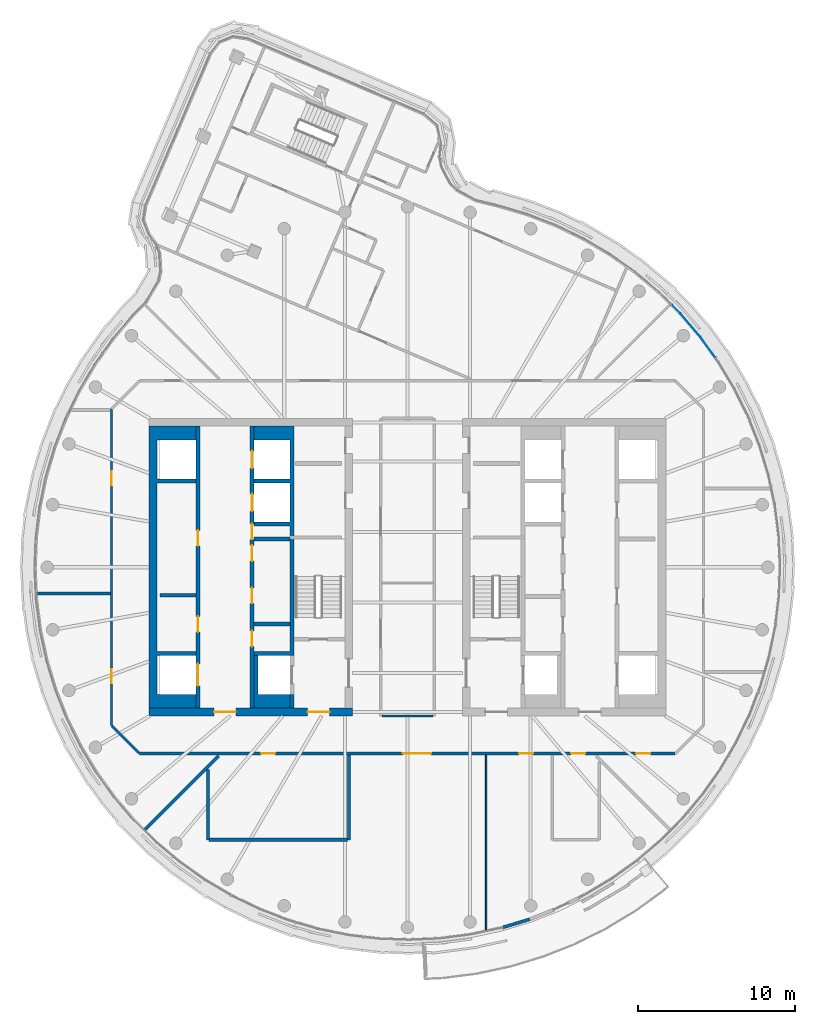
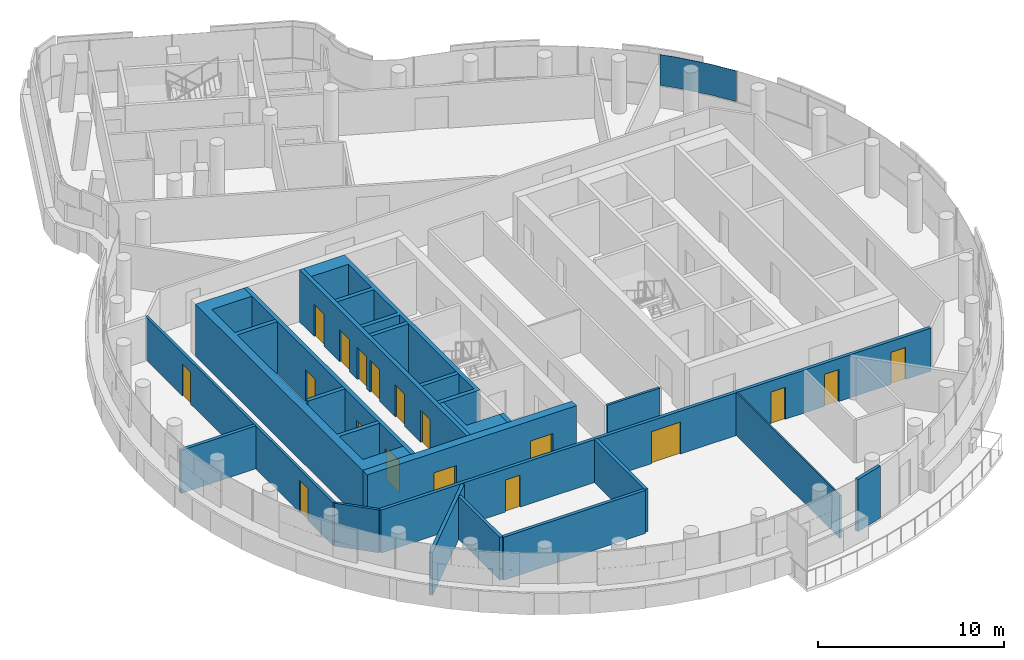
# One storey, part 12 of 20: 21 walls, 18 doors, 1 plate, 18 openings, 1 element without a shape of its own.
"""IFC4 building model written with IfcOpenShell, lengths in metres."""

import ifcopenshell
import ifcopenshell.guid

model = None  # the IFC model being written
_history = None  # IfcOwnerHistory: only IFC2X3 demands one
_inside = {}  # id of a spatial element -> (the spatial element, [elements in it])
_under = {}  # id of a project, library or spatial element -> (it, [spatial elements below it])
_declared = {}  # id of a project -> (the project, [libraries it declares])
_typed = {}  # id of a type object -> (the type object, [elements of that type])
_made_of = {}  # id of a material, layer set ... -> (it, [elements and type objects made of it])


def new_model(schema):
    """Start an empty IFC model of exactly this schema.

    Asked for "IFC4X3", IfcOpenShell would pick the latest addendum, in which some entities
    have other attributes; the version numbers below select the first issue.
    IFC2X3 requires an IfcOwnerHistory on every rooted entity: one is made here for all.
    """
    global model, _history
    if schema == "IFC4X3":
        model = ifcopenshell.file(schema_version=(4, 3, 0, 0))
    else:
        model = ifcopenshell.file(schema=schema)
    _inside.clear()
    _under.clear()
    _declared.clear()
    _typed.clear()
    _made_of.clear()
    _history = None
    if model.schema == "IFC2X3":
        org = make("IfcOrganization", Name="unknown")
        user = make(
            "IfcPersonAndOrganization",
            ThePerson=make("IfcPerson", FamilyName="unknown"),
            TheOrganization=org,
        )
        app = make(
            "IfcApplication",
            ApplicationDeveloper=org,
            Version="unknown",
            ApplicationFullName="unknown",
            ApplicationIdentifier="unknown",
        )
        _history = make(
            "IfcOwnerHistory",
            OwningUser=user,
            OwningApplication=app,
            ChangeAction="ADDED",
            CreationDate=0,
        )
    return model


def make(cls, **values):
    """One entity of the class cls with the attributes given. An attribute that is None is left unset."""
    return model.create_entity(
        cls, **{name: value for name, value in values.items() if value is not None}
    )


def rooted(cls, **values):
    """An entity with a GlobalId (a new one), such as an element, a storey or a relation."""
    return make(cls, GlobalId=ifcopenshell.guid.new(), OwnerHistory=_history, **values)


def si_unit(unit_type, name, prefix=None):
    """IfcSIUnit, for example si_unit("LENGTHUNIT", "METRE", prefix="MILLI")."""
    return make("IfcSIUnit", UnitType=unit_type, Prefix=prefix, Name=name)


def assignment(units):
    """IfcUnitAssignment: the units of a project."""
    return None if units is None else make("IfcUnitAssignment", Units=units)


def point(xyz):
    """IfcCartesianPoint."""
    return None if xyz is None else make("IfcCartesianPoint", Coordinates=xyz)


def direction(xyz):
    """IfcDirection."""
    return None if xyz is None else make("IfcDirection", DirectionRatios=xyz)


def frame(location, z_axis=None, x_axis=None):
    """IfcAxis2Placement3D, a coordinate frame: its origin and axes. An axis left out is left unset."""
    return make(
        "IfcAxis2Placement3D",
        Location=point(location),
        Axis=direction(z_axis),
        RefDirection=direction(x_axis),
    )


def frame_2d(location, x_axis=None):
    """IfcAxis2Placement2D, a coordinate frame in the plane: its origin and x axis."""
    return make(
        "IfcAxis2Placement2D", Location=point(location), RefDirection=direction(x_axis)
    )


def origin():
    """The frame at (0, 0, 0) with its axes left unset."""
    return frame((0.0, 0.0, 0.0))


def place(relative_to, where):
    """IfcLocalPlacement: puts the frame where relative to a parent placement (None: the world)."""
    return make(
        "IfcLocalPlacement", PlacementRelTo=relative_to, RelativePlacement=where
    )


def context(
    kind, dimensions, precision=None, world=None, true_north=None, identifier=None
):
    """IfcGeometricRepresentationContext, for example the 3D "Model" context."""
    return make(
        "IfcGeometricRepresentationContext",
        ContextIdentifier=identifier,
        ContextType=kind,
        CoordinateSpaceDimension=dimensions,
        Precision=precision,
        WorldCoordinateSystem=world,
        TrueNorth=true_north,
    )


def subcontext(parent, identifier, kind, view, scale=None):
    """IfcGeometricRepresentationSubContext, for example "Body" below "Model"."""
    return make(
        "IfcGeometricRepresentationSubContext",
        ContextIdentifier=identifier,
        ContextType=kind,
        ParentContext=parent,
        TargetScale=scale,
        TargetView=view,
    )


def project(units=None, contexts=None):
    """IfcProject with its units and contexts."""
    return rooted(
        "IfcProject",
        Name="project",
        RepresentationContexts=contexts,
        UnitsInContext=assignment(units),
    )


def spatial(cls, under=None, at=None, **own):
    """A site, building, storey or space (cls), placed at a placement, below another one or the project."""
    s = rooted(cls, ObjectPlacement=at, **own)
    if under is not None:
        _under.setdefault(under.id(), (under, []))[1].append(s)
    return s


def polyline(points):
    """IfcPolyline through the points."""
    return make("IfcPolyline", Points=[point(p) for p in points])


def profile(cls, at=None, kind="AREA", **sizes):
    """A parametric profile (cls). Its sizes go by their IFC names, for example OverallWidth=200.0."""
    return make(cls, ProfileType=kind, Position=at, **sizes)


def rectangle(**sizes):
    """IfcRectangleProfileDef."""
    return profile("IfcRectangleProfileDef", **sizes)


def outline(outer, holes=None, kind="AREA"):
    """IfcArbitraryClosedProfileDef: a profile drawn as a closed curve; with holes, ...WithVoids."""
    if holes is None:
        return make("IfcArbitraryClosedProfileDef", ProfileType=kind, OuterCurve=outer)
    return make(
        "IfcArbitraryProfileDefWithVoids",
        ProfileType=kind,
        OuterCurve=outer,
        InnerCurves=holes,
    )


def extrude(swept, where, along, depth):
    """IfcExtrudedAreaSolid: the profile swept, set in the frame where, extruded along a direction by depth."""
    return make(
        "IfcExtrudedAreaSolid",
        SweptArea=swept,
        Position=where,
        ExtrudedDirection=direction(along),
        Depth=depth,
    )


def shape(context_of_items, identifier, shape_type, items):
    """IfcShapeRepresentation: the items that make up one representation, for example the "Body"."""
    return make(
        "IfcShapeRepresentation",
        ContextOfItems=context_of_items,
        RepresentationIdentifier=identifier,
        RepresentationType=shape_type,
        Items=items,
    )


def material(Name=None, Category=None):
    """IfcMaterial."""
    return make("IfcMaterial", Name=Name, Category=Category)


def layer(
    of_material, thickness, ventilated=None, Name=None, Category=None, Priority=None
):
    """IfcMaterialLayer: one layer of a wall or slab, of a material (None: an air gap)."""
    return make(
        "IfcMaterialLayer",
        Material=of_material,
        LayerThickness=thickness,
        IsVentilated=ventilated,
        Name=Name,
        Category=Category,
        Priority=Priority,
    )


def layer_set(layers, Name=None):
    """IfcMaterialLayerSet."""
    return make("IfcMaterialLayerSet", MaterialLayers=layers, LayerSetName=Name)


def made_of(thing, what):
    """Note that an element or type object is made of a material, layer set ...; save() writes the relation."""
    if what is not None:
        _made_of.setdefault(what.id(), (what, []))[1].append(thing)
    return thing


def type_object(cls, material=None, **own):
    """A type object (cls), such as IfcWallType, which elements share."""
    return made_of(rooted(cls, **own), material)


def element(
    cls,
    number,
    at=None,
    inside=None,
    cuts=None,
    type_object=None,
    material=None,
    context=None,
    identifier="Body",
    shape_type=None,
    held_by="IfcProductDefinitionShape",
    body=None,
    shapes=None,
    **own,
):
    """One element of the class cls, such as IfcWall. Its Tag is "e" and its number.

    at: its placement. inside: the storey or other place that contains it. cuts: it is an
    opening in that element (IfcRelVoidsElement). A single representation is given by context,
    identifier, shape_type and body (its items); several are given by shapes. held_by: the class
    of the entity that holds the representations. save() writes the other relations.
    """
    e = rooted(cls, Tag="e%d" % number, ObjectPlacement=at, **own)
    if body is not None:
        shapes = [shape(context, identifier, shape_type, body)]
    if shapes is not None:
        e.Representation = make(held_by, Representations=shapes)
    if inside is not None:
        _inside.setdefault(inside.id(), (inside, []))[1].append(e)
    if cuts is not None:
        rooted(
            "IfcRelVoidsElement", RelatingBuildingElement=cuts, RelatedOpeningElement=e
        )
    if type_object is not None:
        _typed.setdefault(type_object.id(), (type_object, []))[1].append(e)
    return made_of(e, material)


def fill(opening, filler):
    """IfcRelFillsElement: the door or window that sits in an opening."""
    return rooted(
        "IfcRelFillsElement",
        RelatingOpeningElement=opening,
        RelatedBuildingElement=filler,
    )


def aggregate(whole, parts):
    """IfcRelAggregates: a whole, such as a stair, and the parts it consists of."""
    return rooted("IfcRelAggregates", RelatingObject=whole, RelatedObjects=parts)


def save(model, path):
    """Write the relations noted so far, then the file.

    IfcRelAggregates (storeys below a building ...), IfcRelContainedInSpatialStructure (elements
    in a storey), IfcRelDefinesByType, IfcRelAssociatesMaterial and IfcRelDeclares: one each for
    every whole, place, type object, material and project.
    """
    for whole, parts in _under.values():
        aggregate(whole, parts)
    for where, things in _inside.values():
        rooted(
            "IfcRelContainedInSpatialStructure",
            RelatedElements=things,
            RelatingStructure=where,
        )
    for kind, things in _typed.values():
        rooted("IfcRelDefinesByType", RelatedObjects=things, RelatingType=kind)
    for what, things in _made_of.values():
        rooted("IfcRelAssociatesMaterial", RelatedObjects=things, RelatingMaterial=what)
    for by, libraries in _declared.values():
        rooted("IfcRelDeclares", RelatingContext=by, RelatedDefinitions=libraries)
    model.write(path)


model = new_model("IFC4")

# Units and contexts
model_context = context("Model", 3, precision=1e-05, world=origin(), true_north=direction((0.0, 1.0)))
body_context = subcontext(model_context, "Body", "Model", "MODEL_VIEW")
ifc_project = project(units=[si_unit("LENGTHUNIT", "METRE"), si_unit("AREAUNIT", "SQUARE_METRE"), si_unit("VOLUMEUNIT", "CUBIC_METRE"), si_unit("PLANEANGLEUNIT", "RADIAN"), si_unit("MASSUNIT", "GRAM", prefix="KILO")], contexts=[model_context])

# Site, building, storey
site_placement = place(None, origin())
site = spatial("IfcSite", under=ifc_project, at=site_placement, CompositionType="ELEMENT")
building_placement = place(site_placement, origin())
building = spatial("IfcBuilding", under=site, at=building_placement, Name="Tamarind Cross Interchange Tower", CompositionType="ELEMENT")
storey_placement = place(building_placement, frame((0.0, 0.0, 274.800048828125)))
storey = spatial("IfcBuildingStorey", under=building, at=storey_placement, Name="L70", CompositionType="ELEMENT", Elevation=274.800048828125)

# Curtain wall, plate
ifc_material_1 = material(Name="Aluminium 6063-T6", Category="aluminium")
ifc_layer_1 = layer(ifc_material_1, 0.139892578125)
ifc_layer_set_1 = layer_set([ifc_layer_1], Name="Aluminium 6063-T6")
curtain_wall_type = type_object("IfcCurtainWallType", Name="Hotel curtain wall, 4.5 m bays", PredefinedType="NOTDEFINED", material=ifc_layer_set_1)
curtain_wall_placement = place(storey_placement, origin())
curtain_wall = element("IfcCurtainWall", 1, at=curtain_wall_placement, inside=storey, type_object=curtain_wall_type, Name="CWS-L70-01", PredefinedType="NOTDEFINED")
ifc_material_2 = material(Name="Laminated low-e glass 6+1.52+6", Category="glass")
ifc_layer_2 = layer(ifc_material_2, 0.02392578125)
ifc_layer_set_2 = layer_set([ifc_layer_2], Name="Laminated low-e glass 6+1.52+6")
plate_type = type_object("IfcPlateType", Name="Vision panel CW2", PredefinedType="CURTAIN_PANEL", material=ifc_layer_set_2)
plate_placement = place(storey_placement, frame((0.0, 0.0, 1.39990234375)))
plate = element("IfcPlate", 2, at=plate_placement, type_object=plate_type, Name="CWP-L70-01-25", PredefinedType="CURTAIN_PANEL", context=body_context, shape_type="SweptSolid", body=[
    extrude(outline(polyline([(19.649169921875, 13.379638671875), (18.705810546875, 14.68896484375), (17.4287109375, 16.183349609375), (16.842529296875, 16.7646484375), (16.859375, 16.78173828125), (17.4462890625, 16.19970703125), (18.724609375, 14.703857421875), (19.668701171875, 13.3935546875), (19.649169921875, 13.379638671875)])), origin(), (0.0, 0.0, 1.0), 2.02001953125),
])
aggregate(curtain_wall, [plate])

# Wall
ifc_material_3 = material(Name="Concrete C40", Category="concrete")
ifc_layer_3 = layer(ifc_material_3, 0.199951171875)
ifc_layer_set_3 = layer_set([ifc_layer_3], Name="Concrete C40")
wall_type_1 = type_object("IfcWallType", Name="Balcony and garden door wall", PredefinedType="SOLIDWALL", material=ifc_layer_set_3)
wall_1_placement = place(storey_placement, frame((6.1025390625, -22.993408203125, 0.0), z_axis=(0.0, 0.0, 1.0), x_axis=(0.957181343186, 0.289488991598, 0.0)))
element("IfcWall", 3, at=wall_1_placement, inside=storey, type_object=wall_type_1, Name="EXW-L70-01-D15L", PredefinedType="SOLIDWALL", context=body_context, shape_type="SweptSolid", body=[
    extrude(rectangle(XDim=1.77783203125, YDim=0.199951171875, at=frame_2d((0.888916015625, 0.0))), origin(), (0.0, 0.0, 1.0), 3.419921875),
])

# Wall, openings, doors
ifc_material_4 = material(Name="Concrete C50", Category="concrete")
ifc_layer_4 = layer(ifc_material_4, 0.5)
ifc_layer_set_4 = layer_set([ifc_layer_4], Name="Concrete C50")
wall_type_2 = type_object("IfcWallType", Name="Core wall 500 mm Concrete C50", PredefinedType="SHEAR", material=ifc_layer_set_4)
wall_2_placement = place(storey_placement, frame((-16.5, -9.25, 0.0), z_axis=(0.0, 0.0, 1.0), x_axis=(1.0, 0.0, 0.0)))
wall_2 = element("IfcWall", 4, at=wall_2_placement, inside=storey, type_object=wall_type_2, Name="Core wall CWL-L70-W-S", PredefinedType="SHEAR", context=body_context, shape_type="SweptSolid", body=[
    extrude(rectangle(XDim=13.0, YDim=0.5, at=frame_2d((6.5, 0.0))), origin(), (0.0, 0.0, 1.0), 3.419921875),
])
opening_1_placement = place(wall_2_placement, frame((4.14990234375, 0.0, 0.0)))
opening_1 = element("IfcOpeningElement", 5, at=opening_1_placement, cuts=wall_2, Name="Opening DCW1", PredefinedType="OPENING", context=body_context, shape_type="SweptSolid", body=[
    extrude(rectangle(XDim=1.39990234375, YDim=2.10009765625, at=frame_2d((0.699951171875, 1.050048828125))), frame((0.0, 0.260009765625, 0.0), z_axis=(0.0, -1.0, 0.0), x_axis=(1.0, 0.0, 0.0)), (0.0, 0.0, 1.0), 0.52001953125),
])
opening_2_placement = place(wall_2_placement, frame((10.125, 0.0, 0.0)))
opening_2 = element("IfcOpeningElement", 6, at=opening_2_placement, cuts=wall_2, Name="Opening DCWF", PredefinedType="OPENING", context=body_context, shape_type="SweptSolid", body=[
    extrude(rectangle(XDim=1.39990234375, YDim=2.10009765625, at=frame_2d((0.699951171875, 1.050048828125))), frame((0.0, 0.260009765625, 0.0), z_axis=(0.0, -1.0, 0.0), x_axis=(1.0, 0.0, 0.0)), (0.0, 0.0, 1.0), 0.52001953125),
])
ifc_material_5 = material(Name="Steel, fire-resisting", Category="steel")
door_type_1 = type_object("IfcDoorType", Name="Core fire door 1400 x 2100 FD90", OperationType="SINGLE_SWING_LEFT", PredefinedType="DOOR", material=ifc_material_5)
door_1_placement = place(opening_1_placement, origin())
door_1 = element("IfcDoor", 7, at=door_1_placement, inside=storey, type_object=door_type_1, Name="L70 lift lobby door", OperationType="SINGLE_SWING_LEFT", OverallHeight=2.10009765625, OverallWidth=1.39990234375, PredefinedType="DOOR", context=body_context, shape_type="SweptSolid", body=[
    extrude(rectangle(XDim=1.39990234375, YDim=2.10009765625, at=frame_2d((0.699951171875, 1.050048828125))), frame((0.0, 0.02490234375, 0.0), z_axis=(0.0, -1.0, 0.0), x_axis=(1.0, 0.0, 0.0)), (0.0, 0.0, 1.0), 0.050048828125),
])
fill(opening_1, door_1)
door_2_placement = place(opening_2_placement, origin())
door_2 = element("IfcDoor", 8, at=door_2_placement, inside=storey, type_object=door_type_1, Name="L70 firefighting lobby end door", OperationType="SINGLE_SWING_LEFT", OverallHeight=2.10009765625, OverallWidth=1.39990234375, PredefinedType="DOOR", context=body_context, shape_type="SweptSolid", body=[
    extrude(rectangle(XDim=1.39990234375, YDim=2.10009765625, at=frame_2d((0.699951171875, 1.050048828125))), frame((0.0, 0.02490234375, 0.0), z_axis=(0.0, -1.0, 0.0), x_axis=(1.0, 0.0, 0.0)), (0.0, 0.0, 1.0), 0.050048828125),
])
fill(opening_2, door_2)

# Walls
wall_3_placement = place(storey_placement, origin())
element("IfcWall", 9, at=wall_3_placement, inside=storey, type_object=wall_type_2, Name="Core wall CWL-L70-W-A", PredefinedType="SHEAR", context=body_context, shape_type="SweptSolid", body=[
    extrude(outline(polyline([(-13.5, -8.125), (-16.0, -8.125), (-16.0, -5.625), (-13.5, -5.625), (-13.5, -5.375), (-16.0, -5.375), (-16.0, 5.375), (-13.5, 5.375), (-13.5, 5.625), (-16.0, 5.625), (-16.0, 8.125), (-13.5, 8.125), (-13.5, 9.0), (-16.0, 9.0), (-16.5, 9.0), (-16.5, -9.0), (-16.0, -9.0), (-13.5, -9.0), (-13.5, -8.125)])), origin(), (0.0, 0.0, 1.0), 3.419921875),
])
ifc_layer_5 = layer(ifc_material_4, 0.25)
ifc_layer_set_5 = layer_set([ifc_layer_5], Name="Concrete C50")
wall_type_3 = type_object("IfcWallType", Name="Core web wall 250 mm Concrete C50", PredefinedType="SHEAR", material=ifc_layer_set_5)
wall_4_placement = place(storey_placement, origin())
element("IfcWall", 10, at=wall_4_placement, inside=storey, type_object=wall_type_3, Name="Core wall CWL-L70-W-BN", PredefinedType="SHEAR", context=body_context, shape_type="SweptSolid", body=[
    extrude(outline(polyline([(-9.800048828125, -5.375), (-9.800048828125, -5.625), (-7.5, -5.625), (-7.25, -5.625), (-7.25, 9.0), (-7.5, 9.0), (-9.800048828125, 9.0), (-9.800048828125, 8.125), (-7.5, 8.125), (-7.5, 5.625), (-9.800048828125, 5.625), (-9.800048828125, 5.375), (-7.5, 5.375), (-7.5, 2.875), (-9.800048828125, 2.875), (-9.800048828125, 2.625), (-7.5, 2.625), (-7.5, -5.375), (-9.800048828125, -5.375)])), origin(), (0.0, 0.0, 1.0), 3.419921875),
])
wall_5_placement = place(storey_placement, origin())
element("IfcWall", 11, at=wall_5_placement, inside=storey, type_object=wall_type_3, Name="Core wall CWL-L70-W-BS", PredefinedType="SHEAR", context=body_context, shape_type="SweptSolid", body=[
    extrude(outline(polyline([(-7.5, -8.125), (-9.550048828125, -8.125), (-9.550048828125, -5.625), (-9.800048828125, -5.625), (-9.800048828125, -8.125), (-9.800048828125, -9.0), (-7.5, -9.0), (-7.5, -8.125)])), origin(), (0.0, 0.0, 1.0), 3.419921875),
])
wall_6_placement = place(storey_placement, frame((-7.375, -9.0, 0.0), z_axis=(0.0, 0.0, 1.0), x_axis=(0.0, 1.0, 0.0)))
element("IfcWall", 12, at=wall_6_placement, inside=storey, type_object=wall_type_3, Name="Core wall CWL-L70-W-BW", PredefinedType="SHEAR", context=body_context, shape_type="SweptSolid", body=[
    extrude(rectangle(XDim=0.875, YDim=0.25, at=frame_2d((0.4375, 0.0))), origin(), (0.0, 0.0, 1.0), 3.419921875),
])

# Wall, openings, doors
wall_7_placement = place(storey_placement, frame((-13.375, -9.0, 0.0), z_axis=(0.0, 0.0, 1.0), x_axis=(0.0, 1.0, 0.0)))
wall_7 = element("IfcWall", 13, at=wall_7_placement, inside=storey, type_object=wall_type_3, Name="Core wall CWL-L70-W-LA", PredefinedType="SHEAR", context=body_context, shape_type="SweptSolid", body=[
    extrude(rectangle(XDim=18.0, YDim=0.25, at=frame_2d((9.0, 0.0))), origin(), (0.0, 0.0, 1.0), 3.419921875),
])
opening_3_placement = place(wall_7_placement, frame((1.425048828125, 0.0, 0.0)))
opening_3 = element("IfcOpeningElement", 14, at=opening_3_placement, cuts=wall_7, Name="Opening LD1L70", PredefinedType="OPENING", context=body_context, shape_type="SweptSolid", body=[
    extrude(rectangle(XDim=1.39990234375, YDim=2.10009765625, at=frame_2d((0.699951171875, 1.050048828125))), frame((0.0, 0.135009765625, 0.0), z_axis=(0.0, -1.0, 0.0), x_axis=(1.0, 0.0, 0.0)), (0.0, 0.0, 1.0), 0.27001953125),
])
opening_4_placement = place(wall_7_placement, frame((4.85400390625, 0.0, 0.0)))
opening_4 = element("IfcOpeningElement", 15, at=opening_4_placement, cuts=wall_7, Name="Opening DCW9", PredefinedType="OPENING", context=body_context, shape_type="SweptSolid", body=[
    extrude(rectangle(XDim=1.0, YDim=2.10009765625, at=frame_2d((0.5, 1.050048828125))), frame((0.0, 0.135009765625, 0.0), z_axis=(0.0, -1.0, 0.0), x_axis=(1.0, 0.0, 0.0)), (0.0, 0.0, 1.0), 0.27001953125),
])
opening_5_placement = place(wall_7_placement, frame((10.35400390625, 0.0, 0.0)))
opening_5 = element("IfcOpeningElement", 16, at=opening_5_placement, cuts=wall_7, Name="Opening DCW10", PredefinedType="OPENING", context=body_context, shape_type="SweptSolid", body=[
    extrude(rectangle(XDim=1.0, YDim=2.10009765625, at=frame_2d((0.5, 1.050048828125))), frame((0.0, 0.135009765625, 0.0), z_axis=(0.0, -1.0, 0.0), x_axis=(1.0, 0.0, 0.0)), (0.0, 0.0, 1.0), 0.27001953125),
])
door_type_2 = type_object("IfcDoorType", Name="Core fire door 1000 x 2100 FD90", OperationType="SINGLE_SWING_LEFT", PredefinedType="DOOR", material=ifc_material_5)
door_3_placement = place(opening_4_placement, origin())
door_3 = element("IfcDoor", 17, at=door_3_placement, inside=storey, type_object=door_type_2, Name="L70 Staff changing room door", OperationType="SINGLE_SWING_LEFT", OverallHeight=2.10009765625, OverallWidth=1.0, PredefinedType="DOOR", context=body_context, shape_type="SweptSolid", body=[
    extrude(rectangle(XDim=1.0, YDim=2.10009765625, at=frame_2d((0.5, 1.050048828125))), frame((0.0, 0.02490234375, 0.0), z_axis=(0.0, -1.0, 0.0), x_axis=(1.0, 0.0, 0.0)), (0.0, 0.0, 1.0), 0.050048828125),
])
fill(opening_4, door_3)
door_4_placement = place(opening_5_placement, origin())
door_4 = element("IfcDoor", 18, at=door_4_placement, inside=storey, type_object=door_type_2, Name="L70 Ice and vending room door", OperationType="SINGLE_SWING_LEFT", OverallHeight=2.10009765625, OverallWidth=1.0, PredefinedType="DOOR", context=body_context, shape_type="SweptSolid", body=[
    extrude(rectangle(XDim=1.0, YDim=2.10009765625, at=frame_2d((0.5, 1.050048828125))), frame((0.0, 0.02490234375, 0.0), z_axis=(0.0, -1.0, 0.0), x_axis=(1.0, 0.0, 0.0)), (0.0, 0.0, 1.0), 0.050048828125),
])
fill(opening_5, door_4)
ifc_material_6 = material(Name="Stainless steel panel", Category="steel")
door_type_3 = type_object("IfcDoorType", Name="Lift landing door 1400 x 2100 E 120", OperationType="SLIDING_TO_LEFT", PredefinedType="DOOR", material=ifc_material_6)
door_5_placement = place(opening_3_placement, origin())
door_5 = element("IfcDoor", 19, at=door_5_placement, inside=storey, type_object=door_type_3, Name="L70 landing door LF1", OperationType="SLIDING_TO_LEFT", OverallHeight=2.10009765625, OverallWidth=1.39990234375, PredefinedType="DOOR", context=body_context, shape_type="SweptSolid", body=[
    extrude(rectangle(XDim=1.39990234375, YDim=2.10009765625, at=frame_2d((0.699951171875, 1.050048828125))), frame((0.0, 0.02490234375, 0.0), z_axis=(0.0, -1.0, 0.0), x_axis=(1.0, 0.0, 0.0)), (0.0, 0.0, 1.0), 0.050048828125),
])
fill(opening_3, door_5)

wall_8_placement = place(storey_placement, frame((-9.925048828125, -9.0, 0.0), z_axis=(0.0, 0.0, 1.0), x_axis=(0.0, 1.0, 0.0)))
wall_8 = element("IfcWall", 20, at=wall_8_placement, inside=storey, type_object=wall_type_3, Name="Core wall CWL-L70-W-LB", PredefinedType="SHEAR", context=body_context, shape_type="SweptSolid", body=[
    extrude(rectangle(XDim=18.0, YDim=0.25, at=frame_2d((9.0, 0.0))), origin(), (0.0, 0.0, 1.0), 3.419921875),
])
opening_6_placement = place(wall_8_placement, frame((12.574951171875, 0.0, 0.0)))
opening_6 = element("IfcOpeningElement", 21, at=opening_6_placement, cuts=wall_8, Name="Opening LD11L70", PredefinedType="OPENING", context=body_context, shape_type="SweptSolid", body=[
    extrude(rectangle(XDim=1.10009765625, YDim=2.10009765625, at=frame_2d((0.550048828125, 1.050048828125))), frame((0.0, 0.135009765625, 0.0), z_axis=(0.0, -1.0, 0.0), x_axis=(1.0, 0.0, 0.0)), (0.0, 0.0, 1.0), 0.27001953125),
])
opening_7_placement = place(wall_8_placement, frame((15.324951171875, 0.0, 0.0)))
opening_7 = element("IfcOpeningElement", 22, at=opening_7_placement, cuts=wall_8, Name="Opening LD12L70", PredefinedType="OPENING", context=body_context, shape_type="SweptSolid", body=[
    extrude(rectangle(XDim=1.10009765625, YDim=2.10009765625, at=frame_2d((0.550048828125, 1.050048828125))), frame((0.0, 0.135009765625, 0.0), z_axis=(0.0, -1.0, 0.0), x_axis=(1.0, 0.0, 0.0)), (0.0, 0.0, 1.0), 0.27001953125),
])
opening_8_placement = place(wall_8_placement, frame((3.9375, 0.0, 0.0)))
opening_8 = element("IfcOpeningElement", 23, at=opening_8_placement, cuts=wall_8, Name="Opening DCW21", PredefinedType="OPENING", context=body_context, shape_type="SweptSolid", body=[
    extrude(rectangle(XDim=1.0, YDim=2.10009765625, at=frame_2d((0.5, 1.050048828125))), frame((0.0, 0.135009765625, 0.0), z_axis=(0.0, -1.0, 0.0), x_axis=(1.0, 0.0, 0.0)), (0.0, 0.0, 1.0), 0.27001953125),
])
opening_9_placement = place(wall_8_placement, frame((6.6875, 0.0, 0.0)))
opening_9 = element("IfcOpeningElement", 24, at=opening_9_placement, cuts=wall_8, Name="Opening DCW22", PredefinedType="OPENING", context=body_context, shape_type="SweptSolid", body=[
    extrude(rectangle(XDim=1.0, YDim=2.10009765625, at=frame_2d((0.5, 1.050048828125))), frame((0.0, 0.135009765625, 0.0), z_axis=(0.0, -1.0, 0.0), x_axis=(1.0, 0.0, 0.0)), (0.0, 0.0, 1.0), 0.27001953125),
])
opening_10_placement = place(wall_8_placement, frame((9.39599609375, 0.0, 0.0)))
opening_10 = element("IfcOpeningElement", 25, at=opening_10_placement, cuts=wall_8, Name="Opening DCW21", PredefinedType="OPENING", context=body_context, shape_type="SweptSolid", body=[
    extrude(rectangle(XDim=1.0, YDim=2.10009765625, at=frame_2d((0.5, 1.050048828125))), frame((0.0, 0.135009765625, 0.0), z_axis=(0.0, -1.0, 0.0), x_axis=(1.0, 0.0, 0.0)), (0.0, 0.0, 1.0), 0.27001953125),
])
opening_11_placement = place(wall_8_placement, frame((10.77099609375, 0.0, 0.0)))
opening_11 = element("IfcOpeningElement", 26, at=opening_11_placement, cuts=wall_8, Name="Opening DCW22", PredefinedType="OPENING", context=body_context, shape_type="SweptSolid", body=[
    extrude(rectangle(XDim=1.0, YDim=2.10009765625, at=frame_2d((0.5, 1.050048828125))), frame((0.0, 0.135009765625, 0.0), z_axis=(0.0, -1.0, 0.0), x_axis=(1.0, 0.0, 0.0)), (0.0, 0.0, 1.0), 0.27001953125),
])
door_6_placement = place(opening_8_placement, origin())
door_6 = element("IfcDoor", 27, at=door_6_placement, inside=storey, type_object=door_type_2, Name="L70 Hotel pantry door", OperationType="SINGLE_SWING_LEFT", OverallHeight=2.10009765625, OverallWidth=1.0, PredefinedType="DOOR", context=body_context, shape_type="SweptSolid", body=[
    extrude(rectangle(XDim=1.0, YDim=2.10009765625, at=frame_2d((0.5, 1.050048828125))), frame((0.0, 0.02490234375, 0.0), z_axis=(0.0, -1.0, 0.0), x_axis=(1.0, 0.0, 0.0)), (0.0, 0.0, 1.0), 0.050048828125),
])
fill(opening_8, door_6)
door_7_placement = place(opening_9_placement, origin())
door_7 = element("IfcDoor", 28, at=door_7_placement, inside=storey, type_object=door_type_2, Name="L70 Staff changing room door", OperationType="SINGLE_SWING_LEFT", OverallHeight=2.10009765625, OverallWidth=1.0, PredefinedType="DOOR", context=body_context, shape_type="SweptSolid", body=[
    extrude(rectangle(XDim=1.0, YDim=2.10009765625, at=frame_2d((0.5, 1.050048828125))), frame((0.0, 0.02490234375, 0.0), z_axis=(0.0, -1.0, 0.0), x_axis=(1.0, 0.0, 0.0)), (0.0, 0.0, 1.0), 0.050048828125),
])
fill(opening_9, door_7)
door_8_placement = place(opening_10_placement, origin())
door_8 = element("IfcDoor", 29, at=door_8_placement, inside=storey, type_object=door_type_2, Name="L70 Hotel pantry door", OperationType="SINGLE_SWING_LEFT", OverallHeight=2.10009765625, OverallWidth=1.0, PredefinedType="DOOR", context=body_context, shape_type="SweptSolid", body=[
    extrude(rectangle(XDim=1.0, YDim=2.10009765625, at=frame_2d((0.5, 1.050048828125))), frame((0.0, 0.02490234375, 0.0), z_axis=(0.0, -1.0, 0.0), x_axis=(1.0, 0.0, 0.0)), (0.0, 0.0, 1.0), 0.050048828125),
])
fill(opening_10, door_8)
door_9_placement = place(opening_11_placement, origin())
door_9 = element("IfcDoor", 30, at=door_9_placement, inside=storey, type_object=door_type_2, Name="L70 Staff changing room door", OperationType="SINGLE_SWING_LEFT", OverallHeight=2.10009765625, OverallWidth=1.0, PredefinedType="DOOR", context=body_context, shape_type="SweptSolid", body=[
    extrude(rectangle(XDim=1.0, YDim=2.10009765625, at=frame_2d((0.5, 1.050048828125))), frame((0.0, 0.02490234375, 0.0), z_axis=(0.0, -1.0, 0.0), x_axis=(1.0, 0.0, 0.0)), (0.0, 0.0, 1.0), 0.050048828125),
])
fill(opening_11, door_9)
door_type_4 = type_object("IfcDoorType", Name="Lift landing door 1100 x 2100 E 120", OperationType="SLIDING_TO_LEFT", PredefinedType="DOOR", material=ifc_material_6)
door_10_placement = place(opening_6_placement, origin())
door_10 = element("IfcDoor", 31, at=door_10_placement, inside=storey, type_object=door_type_4, Name="L70 landing door LF11", OperationType="SLIDING_TO_LEFT", OverallHeight=2.10009765625, OverallWidth=1.10009765625, PredefinedType="DOOR", context=body_context, shape_type="SweptSolid", body=[
    extrude(rectangle(XDim=1.10009765625, YDim=2.10009765625, at=frame_2d((0.550048828125, 1.050048828125))), frame((0.0, 0.02490234375, 0.0), z_axis=(0.0, -1.0, 0.0), x_axis=(1.0, 0.0, 0.0)), (0.0, 0.0, 1.0), 0.050048828125),
])
fill(opening_6, door_10)
door_11_placement = place(opening_7_placement, origin())
door_11 = element("IfcDoor", 32, at=door_11_placement, inside=storey, type_object=door_type_4, Name="L70 landing door LF12", OperationType="SLIDING_TO_LEFT", OverallHeight=2.10009765625, OverallWidth=1.10009765625, PredefinedType="DOOR", context=body_context, shape_type="SweptSolid", body=[
    extrude(rectangle(XDim=1.10009765625, YDim=2.10009765625, at=frame_2d((0.550048828125, 1.050048828125))), frame((0.0, 0.02490234375, 0.0), z_axis=(0.0, -1.0, 0.0), x_axis=(1.0, 0.0, 0.0)), (0.0, 0.0, 1.0), 0.050048828125),
])
fill(opening_7, door_11)

# Walls
ifc_material_7 = material(Name="Gypsum board partition on steel studs", Category="steel")
ifc_layer_6 = layer(ifc_material_7, 0.10009765625)
ifc_layer_set_6 = layer_set([ifc_layer_6], Name="Gypsum board partition on steel studs")
wall_type_4 = type_object("IfcWallType", Name="Partition 100 mm EI 90", PredefinedType="PARTITIONING", material=ifc_layer_set_6)
wall_9_placement = place(storey_placement, frame((5.02197265625, -23.1357421875, 0.0), z_axis=(0.0, 0.0, 1.0), x_axis=(0.0, 1.0, 0.0)))
element("IfcWall", 33, at=wall_9_placement, inside=storey, type_object=wall_type_4, Name="Partition L70-045", PredefinedType="PARTITIONING", context=body_context, shape_type="SweptSolid", body=[
    extrude(rectangle(XDim=11.15576171875, YDim=0.10009765625, at=frame_2d((5.577880859375, 0.0))), origin(), (0.0, 0.0, 1.0), 2.823974609375),
])
ifc_layer_7 = layer(ifc_material_7, 0.14990234375)
ifc_layer_set_7 = layer_set([ifc_layer_7], Name="Gypsum board partition on steel studs")
wall_type_5 = type_object("IfcWallType", Name="Partition 150 mm EI 120", PredefinedType="PARTITIONING", material=ifc_layer_set_7)
wall_10_placement = place(storey_placement, frame((-18.87158203125, -10.12841796875, 0.0), z_axis=(0.0, 0.0, 1.0), x_axis=(0.707106781187, -0.707106781187, 0.0)))
element("IfcWall", 34, at=wall_10_placement, inside=storey, type_object=wall_type_5, Name="Partition L70-001", PredefinedType="PARTITIONING", context=body_context, shape_type="SweptSolid", body=[
    extrude(rectangle(XDim=2.455078125, YDim=0.14990234375, at=frame_2d((1.2275390625, 0.0))), origin(), (0.0, 0.0, 1.0), 2.823974609375),
])
wall_11_placement = place(storey_placement, frame((-1.639892578125, -9.5, 0.0), z_axis=(0.0, 0.0, 1.0), x_axis=(1.0, 0.0, 0.0)))
element("IfcWall", 35, at=wall_11_placement, inside=storey, type_object=wall_type_5, Name="Partition L70-022", PredefinedType="PARTITIONING", context=body_context, shape_type="SweptSolid", body=[
    extrude(rectangle(XDim=3.27978515625, YDim=0.14990234375, at=frame_2d((1.639892578125, 0.0))), origin(), (0.0, 0.0, 1.0), 2.823974609375),
])

# Wall, openings, doors
wall_12_placement = place(storey_placement, frame((-18.89990234375, -10.10009765625, 0.0), z_axis=(0.0, 0.0, 1.0), x_axis=(0.0, 1.0, 0.0)))
wall_12 = element("IfcWall", 36, at=wall_12_placement, inside=storey, type_object=wall_type_5, Name="Partition L70-040", PredefinedType="PARTITIONING", context=body_context, shape_type="SweptSolid", body=[
    extrude(rectangle(XDim=20.2001953125, YDim=0.14990234375, at=frame_2d((10.10009765625, 0.0))), origin(), (0.0, 0.0, 1.0), 2.823974609375),
])
opening_12_placement = place(wall_12_placement, frame((2.699951171875, 0.0, 0.0)))
opening_12 = element("IfcOpeningElement", 37, at=opening_12_placement, cuts=wall_12, Name="Opening D21", PredefinedType="OPENING", context=body_context, shape_type="SweptSolid", body=[
    extrude(rectangle(XDim=0.89990234375, YDim=2.10009765625, at=frame_2d((0.449951171875, 1.050048828125))), frame((0.0, 0.0849609375, 0.0), z_axis=(0.0, -1.0, 0.0), x_axis=(1.0, 0.0, 0.0)), (0.0, 0.0, 1.0), 0.169921875),
])
opening_13_placement = place(wall_12_placement, frame((15.326904296875, 0.0, 0.0)))
opening_13 = element("IfcOpeningElement", 38, at=opening_13_placement, cuts=wall_12, Name="Opening D22", PredefinedType="OPENING", context=body_context, shape_type="SweptSolid", body=[
    extrude(rectangle(XDim=0.89990234375, YDim=2.10009765625, at=frame_2d((0.449951171875, 1.050048828125))), frame((0.0, 0.0849609375, 0.0), z_axis=(0.0, -1.0, 0.0), x_axis=(1.0, 0.0, 0.0)), (0.0, 0.0, 1.0), 0.169921875),
])
ifc_material_8 = material(Name="Fire-resisting door set")
door_type_5 = type_object("IfcDoorType", Name="Interior door 900 x 2100 FD60S", OperationType="SINGLE_SWING_LEFT", PredefinedType="DOOR", material=ifc_material_8)
door_12_placement = place(opening_12_placement, origin())
door_12 = element("IfcDoor", 39, at=door_12_placement, inside=storey, type_object=door_type_5, Name="Door D21", OperationType="SINGLE_SWING_RIGHT", OverallHeight=2.10009765625, OverallWidth=0.89990234375, PredefinedType="DOOR", context=body_context, shape_type="SweptSolid", body=[
    extrude(rectangle(XDim=0.89990234375, YDim=2.10009765625, at=frame_2d((0.449951171875, 1.050048828125))), frame((0.0, 0.02490234375, 0.0), z_axis=(0.0, -1.0, 0.0), x_axis=(1.0, 0.0, 0.0)), (0.0, 0.0, 1.0), 0.050048828125),
])
fill(opening_12, door_12)
door_13_placement = place(opening_13_placement, origin())
door_13 = element("IfcDoor", 40, at=door_13_placement, inside=storey, type_object=door_type_5, Name="Door D22", OperationType="SINGLE_SWING_LEFT", OverallHeight=2.10009765625, OverallWidth=0.89990234375, PredefinedType="DOOR", context=body_context, shape_type="SweptSolid", body=[
    extrude(rectangle(XDim=0.89990234375, YDim=2.10009765625, at=frame_2d((0.449951171875, 1.050048828125))), frame((0.0, 0.02490234375, 0.0), z_axis=(0.0, -1.0, 0.0), x_axis=(1.0, 0.0, 0.0)), (0.0, 0.0, 1.0), 0.050048828125),
])
fill(opening_13, door_13)

# Wall
ifc_layer_8 = layer(ifc_material_7, 0.199951171875)
ifc_layer_set_8 = layer_set([ifc_layer_8], Name="Gypsum board partition on steel studs")
wall_type_6 = type_object("IfcWallType", Name="Partition 200 mm EI 180", PredefinedType="PARTITIONING", material=ifc_layer_set_8)
wall_13_placement = place(storey_placement, frame((-23.622802734375, -1.673095703125, 0.0), z_axis=(0.0, 0.0, 1.0), x_axis=(1.0, 0.0, 0.0)))
element("IfcWall", 41, at=wall_13_placement, inside=storey, type_object=wall_type_6, Name="Partition L70-016", PredefinedType="PARTITIONING", context=body_context, shape_type="SweptSolid", body=[
    extrude(rectangle(XDim=4.667724609375, YDim=0.199951171875, at=frame_2d((2.333984375, 0.0))), origin(), (0.0, 0.0, 1.0), 2.823974609375),
])

# Wall, openings, doors
wall_14_placement = place(storey_placement, frame((-17.10009765625, -11.89990234375, 0.0), z_axis=(0.0, 0.0, 1.0), x_axis=(1.0, 0.0, 0.0)))
wall_14 = element("IfcWall", 42, at=wall_14_placement, inside=storey, type_object=wall_type_6, Name="Partition L70-018", PredefinedType="PARTITIONING", context=body_context, shape_type="SweptSolid", body=[
    extrude(rectangle(XDim=34.1650390625, YDim=0.199951171875, at=frame_2d((17.08251953125, 0.0))), origin(), (0.0, 0.0, 1.0), 2.823974609375),
])
opening_14_placement = place(wall_14_placement, frame((7.75, 0.0, 0.0)))
opening_14 = element("IfcOpeningElement", 43, at=opening_14_placement, cuts=wall_14, Name="Opening D07", PredefinedType="OPENING", context=body_context, shape_type="SweptSolid", body=[
    extrude(rectangle(XDim=0.89990234375, YDim=2.10009765625, at=frame_2d((0.449951171875, 1.050048828125))), frame((0.0, 0.10986328125, 0.0), z_axis=(0.0, -1.0, 0.0), x_axis=(1.0, 0.0, 0.0)), (0.0, 0.0, 1.0), 0.219970703125),
])
opening_15_placement = place(wall_14_placement, frame((27.541015625, 0.0, 0.0)))
opening_15 = element("IfcOpeningElement", 44, at=opening_15_placement, cuts=wall_14, Name="Opening D08", PredefinedType="OPENING", context=body_context, shape_type="SweptSolid", body=[
    extrude(rectangle(XDim=0.89990234375, YDim=2.10009765625, at=frame_2d((0.449951171875, 1.050048828125))), frame((0.0, 0.10986328125, 0.0), z_axis=(0.0, -1.0, 0.0), x_axis=(1.0, 0.0, 0.0)), (0.0, 0.0, 1.0), 0.219970703125),
])
opening_16_placement = place(wall_14_placement, frame((16.80908203125, 0.0, 0.0)))
opening_16 = element("IfcOpeningElement", 45, at=opening_16_placement, cuts=wall_14, Name="Opening D09", PredefinedType="OPENING", context=body_context, shape_type="SweptSolid", body=[
    extrude(rectangle(XDim=1.800048828125, YDim=2.10009765625, at=frame_2d((0.89990234375, 1.050048828125))), frame((0.0, 0.10986328125, 0.0), z_axis=(0.0, -1.0, 0.0), x_axis=(1.0, 0.0, 0.0)), (0.0, 0.0, 1.0), 0.219970703125),
])
opening_17_placement = place(wall_14_placement, frame((24.221923828125, 0.0, 0.0)))
opening_17 = element("IfcOpeningElement", 46, at=opening_17_placement, cuts=wall_14, Name="Opening D10", PredefinedType="OPENING", context=body_context, shape_type="SweptSolid", body=[
    extrude(rectangle(XDim=0.89990234375, YDim=2.10009765625, at=frame_2d((0.449951171875, 1.050048828125))), frame((0.0, 0.10986328125, 0.0), z_axis=(0.0, -1.0, 0.0), x_axis=(1.0, 0.0, 0.0)), (0.0, 0.0, 1.0), 0.219970703125),
])
opening_18_placement = place(wall_14_placement, frame((31.699951171875, 0.0, 0.0)))
opening_18 = element("IfcOpeningElement", 47, at=opening_18_placement, cuts=wall_14, Name="Opening D11", PredefinedType="OPENING", context=body_context, shape_type="SweptSolid", body=[
    extrude(rectangle(XDim=0.89990234375, YDim=2.10009765625, at=frame_2d((0.449951171875, 1.050048828125))), frame((0.0, 0.10986328125, 0.0), z_axis=(0.0, -1.0, 0.0), x_axis=(1.0, 0.0, 0.0)), (0.0, 0.0, 1.0), 0.219970703125),
])
door_type_6 = type_object("IfcDoorType", Name="Interior door 1800 x 2100 FD120S", OperationType="DOUBLE_DOOR_SINGLE_SWING", PredefinedType="DOOR", material=ifc_material_8)
door_14_placement = place(opening_16_placement, origin())
door_14 = element("IfcDoor", 48, at=door_14_placement, inside=storey, type_object=door_type_6, Name="Door D09", OperationType="DOUBLE_DOOR_SINGLE_SWING", OverallHeight=2.10009765625, OverallWidth=1.800048828125, PredefinedType="DOOR", context=body_context, shape_type="SweptSolid", body=[
    extrude(rectangle(XDim=1.800048828125, YDim=2.10009765625, at=frame_2d((0.89990234375, 1.050048828125))), frame((0.0, 0.02490234375, 0.0), z_axis=(0.0, -1.0, 0.0), x_axis=(1.0, 0.0, 0.0)), (0.0, 0.0, 1.0), 0.050048828125),
])
fill(opening_16, door_14)
door_type_7 = type_object("IfcDoorType", Name="Interior door 900 x 2100 FD120S", OperationType="SINGLE_SWING_LEFT", PredefinedType="DOOR", material=ifc_material_8)
door_15_placement = place(opening_14_placement, frame((0.89990234375, 0.0, 0.0), z_axis=(0.0, 0.0, 1.0), x_axis=(-1.0, 0.0, 0.0)))
door_15 = element("IfcDoor", 49, at=door_15_placement, inside=storey, type_object=door_type_7, Name="Door D07", OperationType="SINGLE_SWING_LEFT", OverallHeight=2.10009765625, OverallWidth=0.89990234375, PredefinedType="DOOR", context=body_context, shape_type="SweptSolid", body=[
    extrude(rectangle(XDim=0.89990234375, YDim=2.10009765625, at=frame_2d((0.449951171875, 1.050048828125))), frame((0.0, 0.02490234375, 0.0), z_axis=(0.0, -1.0, 0.0), x_axis=(1.0, 0.0, 0.0)), (0.0, 0.0, 1.0), 0.050048828125),
])
fill(opening_14, door_15)
door_16_placement = place(opening_15_placement, frame((0.89990234375, 0.0, 0.0), z_axis=(0.0, 0.0, 1.0), x_axis=(-1.0, 0.0, 0.0)))
door_16 = element("IfcDoor", 50, at=door_16_placement, inside=storey, type_object=door_type_7, Name="Door D08", OperationType="SINGLE_SWING_RIGHT", OverallHeight=2.10009765625, OverallWidth=0.89990234375, PredefinedType="DOOR", context=body_context, shape_type="SweptSolid", body=[
    extrude(rectangle(XDim=0.89990234375, YDim=2.10009765625, at=frame_2d((0.449951171875, 1.050048828125))), frame((0.0, 0.02490234375, 0.0), z_axis=(0.0, -1.0, 0.0), x_axis=(1.0, 0.0, 0.0)), (0.0, 0.0, 1.0), 0.050048828125),
])
fill(opening_15, door_16)
door_17_placement = place(opening_17_placement, frame((0.89990234375, 0.0, 0.0), z_axis=(0.0, 0.0, 1.0), x_axis=(-1.0, 0.0, 0.0)))
door_17 = element("IfcDoor", 51, at=door_17_placement, inside=storey, type_object=door_type_7, Name="Door D10", OperationType="SINGLE_SWING_RIGHT", OverallHeight=2.10009765625, OverallWidth=0.89990234375, PredefinedType="DOOR", context=body_context, shape_type="SweptSolid", body=[
    extrude(rectangle(XDim=0.89990234375, YDim=2.10009765625, at=frame_2d((0.449951171875, 1.050048828125))), frame((0.0, 0.02490234375, 0.0), z_axis=(0.0, -1.0, 0.0), x_axis=(1.0, 0.0, 0.0)), (0.0, 0.0, 1.0), 0.050048828125),
])
fill(opening_17, door_17)
door_18_placement = place(opening_18_placement, frame((0.89990234375, 0.0, 0.0), z_axis=(0.0, 0.0, 1.0), x_axis=(-1.0, 0.0, 0.0)))
door_18 = element("IfcDoor", 52, at=door_18_placement, inside=storey, type_object=door_type_7, Name="Door D11", OperationType="SINGLE_SWING_RIGHT", OverallHeight=2.10009765625, OverallWidth=0.89990234375, PredefinedType="DOOR", context=body_context, shape_type="SweptSolid", body=[
    extrude(rectangle(XDim=0.89990234375, YDim=2.10009765625, at=frame_2d((0.449951171875, 1.050048828125))), frame((0.0, 0.02490234375, 0.0), z_axis=(0.0, -1.0, 0.0), x_axis=(1.0, 0.0, 0.0)), (0.0, 0.0, 1.0), 0.050048828125),
])
fill(opening_18, door_18)

# Walls
wall_15_placement = place(storey_placement, frame((-12.660888671875, -17.39990234375, 0.0), z_axis=(0.0, 0.0, 1.0), x_axis=(1.0, 0.0, 0.0)))
element("IfcWall", 53, at=wall_15_placement, inside=storey, type_object=wall_type_6, Name="Partition L70-020", PredefinedType="PARTITIONING", context=body_context, shape_type="SweptSolid", body=[
    extrude(rectangle(XDim=8.8349609375, YDim=0.199951171875, at=frame_2d((4.41748046875, 0.0))), origin(), (0.0, 0.0, 1.0), 2.823974609375),
])
wall_16_placement = place(storey_placement, frame((-16.740478515625, -16.740478515625, 0.0), z_axis=(0.0, 0.0, 1.0), x_axis=(0.707106781187, 0.707106781187, 0.0)))
element("IfcWall", 54, at=wall_16_placement, inside=storey, type_object=wall_type_6, Name="Partition L70-028", PredefinedType="PARTITIONING", context=body_context, shape_type="SweptSolid", body=[
    extrude(rectangle(XDim=6.630615234375, YDim=0.199951171875, at=frame_2d((3.3154296875, 0.0))), origin(), (0.0, 0.0, 1.0), 2.823974609375),
])
wall_17_placement = place(storey_placement, frame((-12.740966796875, -17.39990234375, 0.0), z_axis=(0.0, 0.0, 1.0), x_axis=(0.0, 1.0, 0.0)))
element("IfcWall", 55, at=wall_17_placement, inside=storey, type_object=wall_type_6, Name="Partition L70-041", PredefinedType="PARTITIONING", context=body_context, shape_type="SweptSolid", body=[
    extrude(rectangle(XDim=4.4990234375, YDim=0.199951171875, at=frame_2d((2.24951171875, 0.0))), origin(), (0.0, 0.0, 1.0), 2.823974609375),
])
wall_18_placement = place(storey_placement, frame((-3.740966796875, -17.39990234375, 0.0), z_axis=(0.0, 0.0, 1.0), x_axis=(0.0, 1.0, 0.0)))
element("IfcWall", 56, at=wall_18_placement, inside=storey, type_object=wall_type_6, Name="Partition L70-042", PredefinedType="PARTITIONING", context=body_context, shape_type="SweptSolid", body=[
    extrude(rectangle(XDim=5.419921875, YDim=0.199951171875, at=frame_2d((2.7099609375, 0.0))), origin(), (0.0, 0.0, 1.0), 2.823974609375),
])
ifc_layer_9 = layer(ifc_material_3, 0.25)
ifc_layer_set_9 = layer_set([ifc_layer_9], Name="Concrete C40")
wall_type_7 = type_object("IfcWallType", Name="Shaft and lobby wall 250 mm Concrete C40", PredefinedType="PARTITIONING", material=ifc_layer_set_9)
for number, where, z_axis, x_axis, name in (
    (57, (-15.800048828125, -1.7919921875, 0.0), (0.0, 0.0, 1.0), (1.0, 0.0, 0.0), "Shaft wall CWL-L70-W-FPA1"),
    (58, (-9.800048828125, -3.625, 0.0), (0.0, 0.0, 1.0), (1.0, 0.0, 0.0), "Shaft wall CWL-L70-W-FPB1"),
    (59, (-9.800048828125, 1.7919921875, 0.0), (0.0, 0.0, 1.0), (1.0, 0.0, 0.0), "Shaft wall CWL-L70-W-FPB3"),
):
    element("IfcWall", number, at=place(storey_placement, frame(where, z_axis=z_axis, x_axis=x_axis)), inside=storey, type_object=wall_type_7, Name=name, PredefinedType="PARTITIONING", context=body_context, shape_type="SweptSolid", body=[
        extrude(rectangle(XDim=2.300048828125, YDim=0.25, at=frame_2d((1.14990234375, 0.0))), origin(), (0.0, 0.0, 1.0), 3.419921875),
    ])

save(model, "model.ifc")
